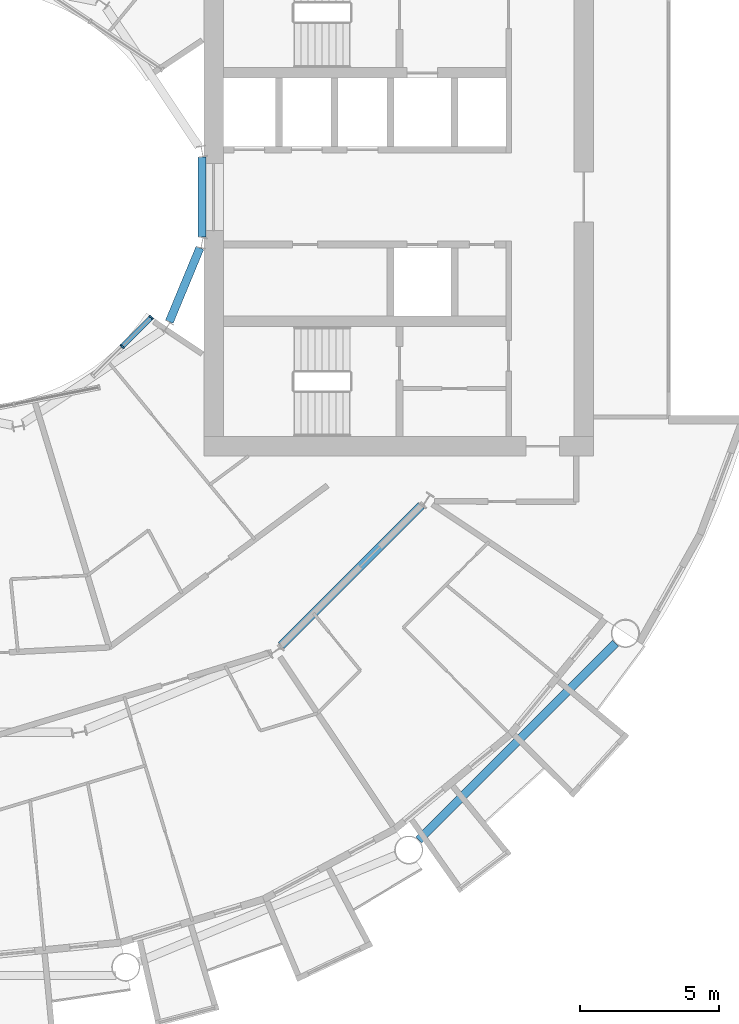
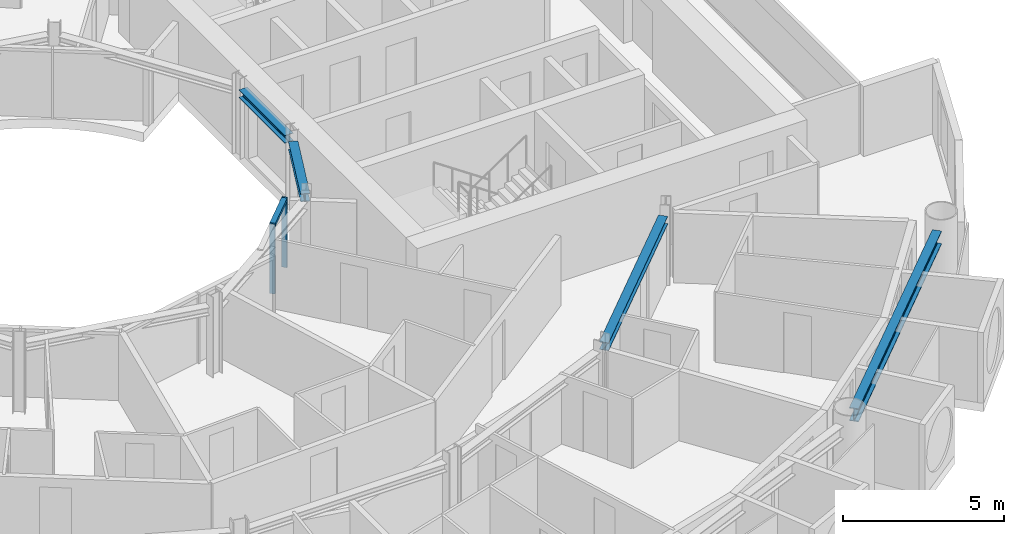
# One storey, part 6 of 25: 4 beams, 3 members, 1 element without a shape of its own.
"""IFC4 building model written with IfcOpenShell, lengths in metres."""

from ifc_helpers import new_model, si_unit, direction, frame, origin, origin_2d, place, context, subcontext, project, spatial, rectangle, i_section, extrude, material, layer, layer_set, material_profile, profile_set, type_object, element, aggregate, save


model = new_model("IFC4")

# Units and contexts
model_context = context("Model", 3, precision=1e-05, world=origin(), true_north=direction((0.0, 1.0)))
body_context = subcontext(model_context, "Body", "Model", "MODEL_VIEW")
ifc_project = project(units=[si_unit("LENGTHUNIT", "METRE"), si_unit("AREAUNIT", "SQUARE_METRE"), si_unit("VOLUMEUNIT", "CUBIC_METRE"), si_unit("PLANEANGLEUNIT", "RADIAN"), si_unit("MASSUNIT", "GRAM", prefix="KILO")], contexts=[model_context])

# Site, building, storey
site_placement = place(None, origin())
site = spatial("IfcSite", under=ifc_project, at=site_placement, CompositionType="ELEMENT")
building_placement = place(site_placement, origin())
building = spatial("IfcBuilding", under=site, at=building_placement, Name="Maasbend Ring Residences", CompositionType="ELEMENT")
storey_placement = place(building_placement, frame((0.0, 0.0, 94.10009765625)))
storey = spatial("IfcBuildingStorey", under=building, at=storey_placement, Name="L27", CompositionType="ELEMENT", Elevation=94.10009765625)

# Curtain wall, members
ifc_material_1 = material(Name="Aluminium and clear glass", Category="aluminium")
ifc_layer = layer(ifc_material_1, 0.179931640625)
ifc_layer_set = layer_set([ifc_layer], Name="CW-W")
curtain_wall_type = type_object("IfcCurtainWallType", Name="CW-W", PredefinedType="NOTDEFINED", material=ifc_layer_set)
curtain_wall_placement = place(storey_placement, origin())
curtain_wall = element("IfcCurtainWall", 1, at=curtain_wall_placement, inside=storey, type_object=curtain_wall_type, Name="Well curtain wall S3", PredefinedType="NOTDEFINED")
ifc_material_2 = material(Name="Aluminium 6063-T6", Category="aluminium")
ifc_material_profile_1 = material_profile(ifc_material_2, rectangle(XDim=0.179931640625, YDim=0.06005859375, at=origin_2d()), Name="AL 180x60")
ifc_profile_set_1 = profile_set([ifc_material_profile_1], Name="Aluminium 6063-T6")
member_type_1 = type_object("IfcMemberType", Name="CWM-W", PredefinedType="MULLION", material=ifc_profile_set_1)
member_1_placement = place(storey_placement, frame((5.366943359375, -5.366943359375, 0.0), z_axis=(0.0, 0.0, 1.0), x_axis=(-0.707106781187, 0.707106781187, 0.0)))
member_1 = element("IfcMember", 2, at=member_1_placement, type_object=member_type_1, Name="Mullion well face", PredefinedType="MULLION", context=body_context, shape_type="SweptSolid", body=[
    extrude(rectangle(XDim=0.179931640625, YDim=0.06005859375, at=origin_2d()), origin(), (0.0, 0.0, 1.0), 2.64990234375),
])
member_2_placement = place(storey_placement, frame((6.413330078125, -4.320556640625, 0.0), z_axis=(0.0, 0.0, 1.0), x_axis=(-0.707106781187, 0.707106781187, 0.0)))
member_2 = element("IfcMember", 3, at=member_2_placement, type_object=member_type_1, Name="Mullion well face", PredefinedType="MULLION", context=body_context, shape_type="SweptSolid", body=[
    extrude(rectangle(XDim=0.179931640625, YDim=0.06005859375, at=origin_2d()), origin(), (0.0, 0.0, 1.0), 2.64990234375),
])
ifc_material_3 = material(Name="Aluminium 6063-T6", Category="aluminium")
ifc_material_profile_2 = material_profile(ifc_material_3, rectangle(XDim=0.179931640625, YDim=0.1201171875, at=origin_2d()), Name="AL 180x120")
ifc_profile_set_2 = profile_set([ifc_material_profile_2], Name="Aluminium 6063-T6")
member_type_2 = type_object("IfcMemberType", Name="CWT-W", PredefinedType="USERDEFINED", material=ifc_profile_set_2)
member_3_placement = place(storey_placement, frame((5.38818359375, -5.345703125, 2.58984375), z_axis=(0.707106781187, 0.707106781187, 0.0), x_axis=(-0.707106781187, 0.707106781187, 0.0)))
member_3 = element("IfcMember", 4, at=member_3_placement, type_object=member_type_2, Name="Transom well face", ObjectType="TRANSOM", PredefinedType="USERDEFINED", context=body_context, shape_type="SweptSolid", body=[
    extrude(rectangle(XDim=0.179931640625, YDim=0.1201171875, at=origin_2d()), origin(), (0.0, 0.0, 1.0), 1.419677734375),
])
aggregate(curtain_wall, [member_1, member_2, member_3])

# Beams
ifc_material_4 = material(Name="Steel S355J2", Category="steel")
ifc_material_profile_3 = material_profile(ifc_material_4, i_section(OverallWidth=0.300048828125, OverallDepth=0.300048828125, WebThickness=0.010986328125, FlangeThickness=0.01904296875, FilletRadius=0.027099609375, at=origin_2d()), Name="HEB 300")
ifc_profile_set_3 = profile_set([ifc_material_profile_3], Name="Steel S355J2")
beam_type_1 = type_object("IfcBeamType", Name="Corridor ring beam HEB 300", PredefinedType="BEAM", material=ifc_profile_set_3)
beam_1_placement = place(storey_placement, frame((11.078125, -16.10791015625, 2.5), z_axis=(0.707106781187, 0.707106781187, 0.0), x_axis=(-0.707106781187, 0.707106781187, 0.0)))
element("IfcBeam", 5, at=beam_1_placement, inside=storey, type_object=beam_type_1, Name="Corridor ring beam", PredefinedType="BEAM", context=body_context, shape_type="SweptSolid", body=[
    extrude(i_section(OverallWidth=0.300048828125, OverallDepth=0.300048828125, WebThickness=0.010986328125, FlangeThickness=0.01904296875, FilletRadius=0.027099609375, at=origin_2d()), origin(), (0.0, 0.0, 1.0), 7.11328125),
])
ifc_material_5 = material(Name="Steel S355J2", Category="steel")
ifc_material_profile_4 = material_profile(ifc_material_5, i_section(OverallWidth=0.300048828125, OverallDepth=0.5, WebThickness=0.014404296875, FlangeThickness=0.028076171875, FilletRadius=0.027099609375, at=origin_2d()), Name="HEB 500")
ifc_profile_set_4 = profile_set([ifc_material_profile_4], Name="Steel S355J2")
beam_type_2 = type_object("IfcBeamType", Name="Spandrel ring beam HEB 500", PredefinedType="SPANDREL", material=ifc_profile_set_4)
beam_2_placement = place(storey_placement, frame((16.0263671875, -23.088134765625, 2.39990234375), z_axis=(0.707106781187, 0.707106781187, 0.0), x_axis=(-0.707106781187, 0.707106781187, 0.0)))
element("IfcBeam", 6, at=beam_2_placement, inside=storey, type_object=beam_type_2, Name="Spandrel ring beam", PredefinedType="SPANDREL", context=body_context, shape_type="SweptSolid", body=[
    extrude(i_section(OverallWidth=0.300048828125, OverallDepth=0.5, WebThickness=0.014404296875, FlangeThickness=0.028076171875, FilletRadius=0.027099609375, at=origin_2d()), origin(), (0.0, 0.0, 1.0), 9.98681640625),
])
ifc_material_6 = material(Name="Steel S355J2", Category="steel")
ifc_material_profile_5 = material_profile(ifc_material_6, i_section(OverallWidth=0.300048828125, OverallDepth=0.300048828125, WebThickness=0.010986328125, FlangeThickness=0.01904296875, FilletRadius=0.027099609375, at=origin_2d()), Name="HEB 300")
ifc_profile_set_5 = profile_set([ifc_material_profile_5], Name="Steel S355J2")
beam_type_3 = type_object("IfcBeamType", Name="Well edge beam HEB 300", PredefinedType="BEAM", material=ifc_profile_set_5)
beam_3_placement = place(storey_placement, frame((7.062255859375, -4.478515625, 2.5), z_axis=(0.382729955172, 0.923860260761, 0.0), x_axis=(-0.923860260761, 0.382729955172, 0.0)))
element("IfcBeam", 7, at=beam_3_placement, inside=storey, type_object=beam_type_3, Name="Well edge beam", PredefinedType="BEAM", context=body_context, shape_type="SweptSolid", body=[
    extrude(i_section(OverallWidth=0.300048828125, OverallDepth=0.300048828125, WebThickness=0.010986328125, FlangeThickness=0.01904296875, FilletRadius=0.027099609375, at=origin_2d()), origin(), (0.0, 0.0, 1.0), 2.869873046875),
])
beam_4_placement = place(storey_placement, frame((8.238525390625, -1.434814453125, 2.5), z_axis=(0.0, 1.0, 0.0), x_axis=(-1.0, 0.0, 0.0)))
element("IfcBeam", 8, at=beam_4_placement, inside=storey, type_object=beam_type_3, Name="Well edge beam", PredefinedType="BEAM", context=body_context, shape_type="SweptSolid", body=[
    extrude(i_section(OverallWidth=0.300048828125, OverallDepth=0.300048828125, WebThickness=0.010986328125, FlangeThickness=0.01904296875, FilletRadius=0.027099609375, at=origin_2d()), origin(), (0.0, 0.0, 1.0), 2.86962890625),
])

save(model, "model.ifc")
